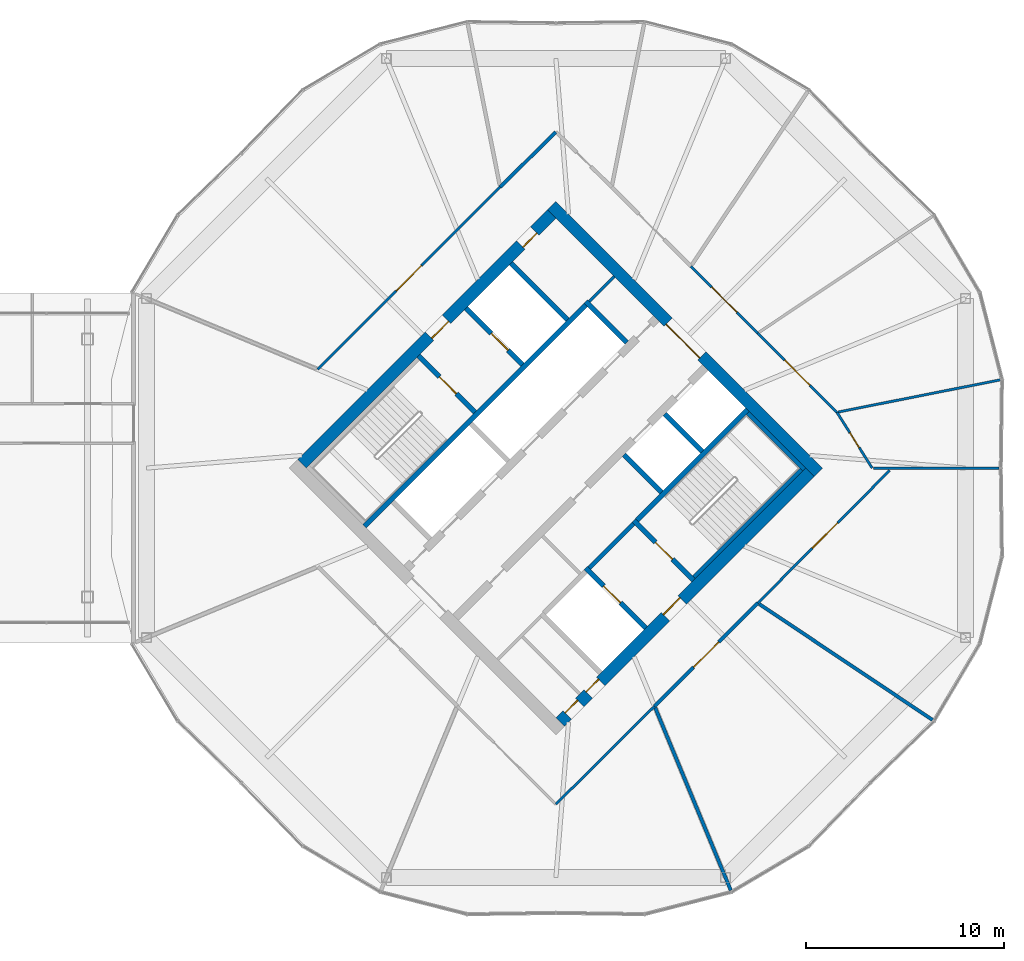
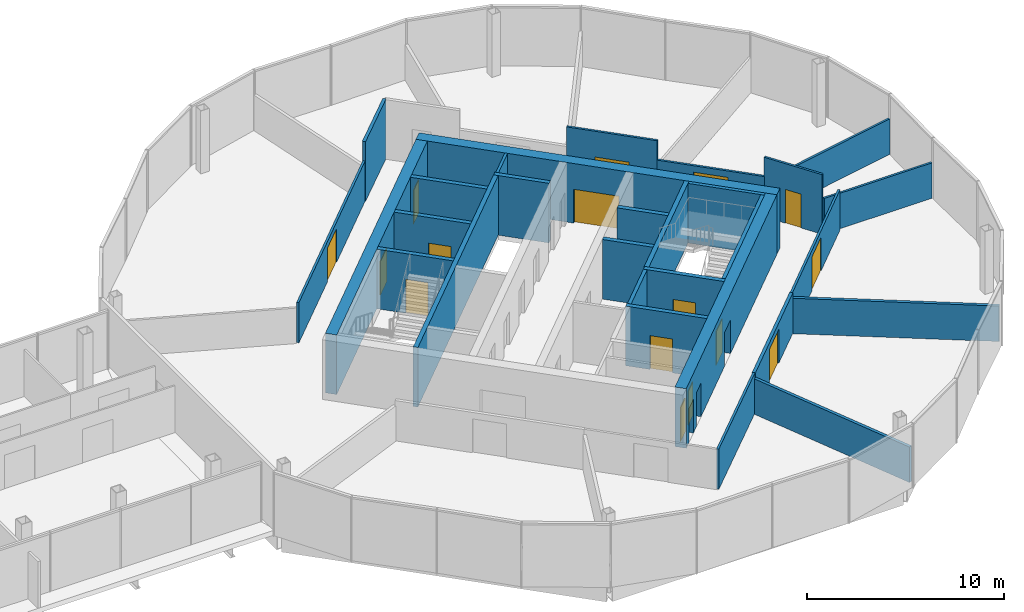
# One storey, part 23 of 26: 29 walls, 16 doors, 16 openings.
"""IFC4 building model written with IfcOpenShell, lengths in metres."""

from ifc_helpers import new_model, si_unit, direction, frame, frame_2d, origin, place, context, subcontext, project, spatial, rectangle, extrude, material, layer, layer_set, type_object, element, fill, save


model = new_model("IFC4")

# Units and contexts
model_context = context("Model", 3, precision=1e-05, world=origin(), true_north=direction((0.0, 1.0)))
body_context = subcontext(model_context, "Body", "Model", "MODEL_VIEW")
ifc_project = project(units=[si_unit("LENGTHUNIT", "METRE"), si_unit("AREAUNIT", "SQUARE_METRE"), si_unit("VOLUMEUNIT", "CUBIC_METRE"), si_unit("PLANEANGLEUNIT", "RADIAN"), si_unit("MASSUNIT", "GRAM", prefix="KILO")], contexts=[model_context])

# Site, building, storey
site_placement = place(None, origin())
site = spatial("IfcSite", under=ifc_project, at=site_placement, CompositionType="ELEMENT")
building_placement = place(site_placement, origin())
building = spatial("IfcBuilding", under=site, at=building_placement, Name="Ogive Gate Towers", CompositionType="ELEMENT")
storey_placement = place(building_placement, frame((0.0, 0.0, 156.800048828125)))
storey = spatial("IfcBuildingStorey", under=building, at=storey_placement, Name="L37", CompositionType="ELEMENT", Elevation=156.800048828125)

# Walls
ifc_material_1 = material(Name="Gypsum board acoustic partition")
ifc_layer_1 = layer(ifc_material_1, 0.175048828125)
ifc_layer_set_1 = layer_set([ifc_layer_1], Name="Acoustic partition 175")
wall_type_1 = type_object("IfcWallType", Name="Acoustic partition 175", PredefinedType="PARTITIONING", material=ifc_layer_set_1)
wall_1_placement = place(storey_placement, frame((44.81689453125, -21.2861328125, 0.0), z_axis=(0.0, 0.0, 1.0), x_axis=(-0.38267936462, 0.923881217416, 0.0)))
element("IfcWall", 1, at=wall_1_placement, inside=storey, type_object=wall_type_1, Name="Partition T2-L37-010", PredefinedType="PARTITIONING", context=body_context, shape_type="SweptSolid", body=[
    extrude(rectangle(XDim=9.96142578125, YDim=0.175048828125, at=frame_2d((4.980712890625, 0.0))), origin(), (0.0, 0.0, 1.0), 2.199951171875),
])
wall_2_placement = place(storey_placement, frame((54.986083984375, -12.695556640625, 0.0), z_axis=(0.0, 0.0, 1.0), x_axis=(-0.831274097515, 0.555862730178, 0.0)))
element("IfcWall", 2, at=wall_2_placement, inside=storey, type_object=wall_type_1, Name="Partition T2-L37-011", PredefinedType="PARTITIONING", context=body_context, shape_type="SweptSolid", body=[
    extrude(rectangle(XDim=10.51171875, YDim=0.175048828125, at=frame_2d((5.255859375, 0.0))), origin(), (0.0, 0.0, 1.0), 2.199951171875),
])

# Wall, opening, door
wall_3_placement = place(storey_placement, frame((40.971435546875, -12.002197265625, 0.0), z_axis=(0.0, 0.0, 1.0), x_axis=(0.707488386649, 0.706724969671, 0.0)))
wall_3 = element("IfcWall", 3, at=wall_3_placement, inside=storey, type_object=wall_type_1, Name="Partition T2-L37-015", PredefinedType="PARTITIONING", context=body_context, shape_type="SweptSolid", body=[
    extrude(rectangle(XDim=7.35546875, YDim=0.175048828125, at=frame_2d((3.677734375, 0.0))), origin(), (0.0, 0.0, 1.0), 2.5),
])
opening_1_placement = place(wall_3_placement, frame((2.778076171875, 0.0, 0.0)))
opening_1 = element("IfcOpeningElement", 4, at=opening_1_placement, cuts=wall_3, Name="Opening T2-L37-D03", PredefinedType="OPENING", context=body_context, shape_type="SweptSolid", body=[
    extrude(rectangle(XDim=1.800048828125, YDim=2.10009765625, at=frame_2d((0.89990234375, 1.050048828125))), frame((0.0, 0.09765625, 0.0), z_axis=(0.0, -1.0, 0.0), x_axis=(1.0, 0.0, 0.0)), (0.0, 0.0, 1.0), 0.195068359375),
])
ifc_material_2 = material(Name="Timber door", Category="wood")
door_type_1 = type_object("IfcDoorType", Name="Door pair 1800", OperationType="NOTDEFINED", PredefinedType="DOOR", material=ifc_material_2)
door_1_placement = place(opening_1_placement, origin())
door_1 = element("IfcDoor", 5, at=door_1_placement, inside=storey, type_object=door_type_1, Name="Door T2-L37-D03", OperationType="DOUBLE_DOOR_DOUBLE_SWING", OverallHeight=2.10009765625, OverallWidth=1.800048828125, PredefinedType="DOOR", context=body_context, shape_type="SweptSolid", body=[
    extrude(rectangle(XDim=1.800048828125, YDim=2.10009765625, at=frame_2d((0.89990234375, 1.050048828125))), frame((0.0, 0.02490234375, 0.0), z_axis=(0.0, -1.0, 0.0), x_axis=(1.0, 0.0, 0.0)), (0.0, 0.0, 1.0), 0.050048828125),
])
fill(opening_1, door_1)

# Walls
wall_4_placement = place(storey_placement, frame((36.0, 16.9423828125, 0.0), z_axis=(0.0, 0.0, 1.0), x_axis=(-0.71141641015, -0.70277072461, 0.0)))
element("IfcWall", 6, at=wall_4_placement, inside=storey, type_object=wall_type_1, Name="Partition T2-L37-022", PredefinedType="PARTITIONING", context=body_context, shape_type="SweptSolid", body=[
    extrude(rectangle(XDim=3.953369140625, YDim=0.175048828125, at=frame_2d((1.9765625, 0.0))), origin(), (0.0, 0.0, 1.0), 3.699951171875),
])
ifc_material_3 = material(Name="Masonry blockwork", Category="masonry")
ifc_layer_2 = layer(ifc_material_3, 0.199951171875)
ifc_layer_set_2 = layer_set([ifc_layer_2], Name="Blockwork wall 200 mm")
wall_type_2 = type_object("IfcWallType", Name="Blockwork wall 200 mm", PredefinedType="PARTITIONING", material=ifc_layer_set_2)
wall_5_placement = place(storey_placement, frame((37.679443359375, -5.0380859375, 0.0), z_axis=(0.0, 0.0, 1.0), x_axis=(0.707106781187, 0.707106781187, 0.0)))
element("IfcWall", 7, at=wall_5_placement, inside=storey, type_object=wall_type_2, Name="T2 L37 Blockwork wall 200 mm", PredefinedType="PARTITIONING", context=body_context, shape_type="SweptSolid", body=[
    extrude(rectangle(XDim=3.14990234375, YDim=0.199951171875, at=frame_2d((1.574951171875, 0.0))), origin(), (0.0, 0.0, 1.0), 3.699951171875),
])

# Wall, openings, doors
ifc_material_4 = material(Name="Concrete C60/75", Category="concrete")
ifc_layer_3 = layer(ifc_material_4, 0.60009765625)
ifc_layer_set_3 = layer_set([ifc_layer_3], Name="Core wall 600 mm")
wall_type_3 = type_object("IfcWallType", Name="Core wall 600 mm", PredefinedType="SHEAR", material=ifc_layer_set_3)
wall_6_placement = place(storey_placement, frame((36.212158203125, -12.798583984375, 0.0), z_axis=(0.0, 0.0, 1.0), x_axis=(0.707106781187, 0.707106781187, 0.0)))
wall_6 = element("IfcWall", 8, at=wall_6_placement, inside=storey, type_object=wall_type_3, Name="T2 L37 Core wall 600 mm", PredefinedType="SHEAR", context=body_context, shape_type="SweptSolid", body=[
    extrude(rectangle(XDim=17.7998046875, YDim=0.60009765625, at=frame_2d((8.89990234375, 0.0))), origin(), (0.0, 0.0, 1.0), 3.699951171875),
])
opening_2_placement = place(wall_6_placement, frame((7.5, 0.0, 0.0)))
opening_2 = element("IfcOpeningElement", 9, at=opening_2_placement, cuts=wall_6, Name="Opening KD-T2-L37-19", PredefinedType="OPENING", context=body_context, shape_type="SweptSolid", body=[
    extrude(rectangle(XDim=1.199951171875, YDim=2.10009765625, at=frame_2d((0.60009765625, 1.050048828125))), frame((0.0, 0.31005859375, 0.0), z_axis=(0.0, -1.0, 0.0), x_axis=(1.0, 0.0, 0.0)), (0.0, 0.0, 1.0), 0.6201171875),
])
opening_3_placement = place(wall_6_placement, frame((0.5, 0.0, 0.0)))
opening_3 = element("IfcOpeningElement", 10, at=opening_3_placement, cuts=wall_6, Name="Opening KD-T2-L37-21", PredefinedType="OPENING", context=body_context, shape_type="SweptSolid", body=[
    extrude(rectangle(XDim=0.89990234375, YDim=2.10009765625, at=frame_2d((0.449951171875, 1.050048828125))), frame((0.0, 0.31005859375, 0.0), z_axis=(0.0, -1.0, 0.0), x_axis=(1.0, 0.0, 0.0)), (0.0, 0.0, 1.0), 0.6201171875),
])
opening_4_placement = place(wall_6_placement, frame((2.0, 0.0, 0.0)))
opening_4 = element("IfcOpeningElement", 11, at=opening_4_placement, cuts=wall_6, Name="Opening KD-T2-L37-22", PredefinedType="OPENING", context=body_context, shape_type="SweptSolid", body=[
    extrude(rectangle(XDim=0.89990234375, YDim=2.10009765625, at=frame_2d((0.449951171875, 1.050048828125))), frame((0.0, 0.31005859375, 0.0), z_axis=(0.0, -1.0, 0.0), x_axis=(1.0, 0.0, 0.0)), (0.0, 0.0, 1.0), 0.6201171875),
])
door_type_2 = type_object("IfcDoorType", Name="Core WC door 900 x 2100", OperationType="NOTDEFINED", PredefinedType="DOOR", material=ifc_material_2)
door_2_placement = place(opening_3_placement, origin())
door_2 = element("IfcDoor", 12, at=door_2_placement, inside=storey, type_object=door_type_2, Name="T2 L37 Core door", OperationType="SINGLE_SWING_RIGHT", OverallHeight=2.10009765625, OverallWidth=0.89990234375, PredefinedType="DOOR", context=body_context, shape_type="SweptSolid", body=[
    extrude(rectangle(XDim=0.89990234375, YDim=2.10009765625, at=frame_2d((0.449951171875, 1.050048828125))), frame((0.0, 0.1748046875, 0.0), z_axis=(0.0, -1.0, 0.0), x_axis=(1.0, 0.0, 0.0)), (0.0, 0.0, 1.0), 0.050048828125),
])
fill(opening_3, door_2)
door_3_placement = place(opening_4_placement, origin())
door_3 = element("IfcDoor", 13, at=door_3_placement, inside=storey, type_object=door_type_2, Name="T2 L37 Core door", OperationType="SINGLE_SWING_LEFT", OverallHeight=2.10009765625, OverallWidth=0.89990234375, PredefinedType="DOOR", context=body_context, shape_type="SweptSolid", body=[
    extrude(rectangle(XDim=0.89990234375, YDim=2.10009765625, at=frame_2d((0.449951171875, 1.050048828125))), frame((0.0, 0.1748046875, 0.0), z_axis=(0.0, -1.0, 0.0), x_axis=(1.0, 0.0, 0.0)), (0.0, 0.0, 1.0), 0.050048828125),
])
fill(opening_4, door_3)
ifc_material_5 = material(Name="Steel fire door", Category="steel")
door_type_3 = type_object("IfcDoorType", Name="Core door FD60S 1200 x 2100", OperationType="NOTDEFINED", PredefinedType="DOOR", material=ifc_material_5)
door_4_placement = place(opening_2_placement, origin())
door_4 = element("IfcDoor", 14, at=door_4_placement, inside=storey, type_object=door_type_3, Name="T2 L37 Fire-fighting lobby door", OperationType="SINGLE_SWING_RIGHT", OverallHeight=2.10009765625, OverallWidth=1.199951171875, PredefinedType="DOOR", context=body_context, shape_type="SweptSolid", body=[
    extrude(rectangle(XDim=1.199951171875, YDim=2.10009765625, at=frame_2d((0.60009765625, 1.050048828125))), frame((0.0, 0.1748046875, 0.0), z_axis=(0.0, -1.0, 0.0), x_axis=(1.0, 0.0, 0.0)), (0.0, 0.0, 1.0), 0.050048828125),
])
fill(opening_2, door_4)

wall_7_placement = place(storey_placement, frame((23.201416015625, 0.212158203125, 0.0), z_axis=(0.0, 0.0, 1.0), x_axis=(0.707106781187, 0.707106781187, 0.0)))
wall_7 = element("IfcWall", 15, at=wall_7_placement, inside=storey, type_object=wall_type_3, Name="T2 L37 Core wall 600 mm", PredefinedType="SHEAR", context=body_context, shape_type="SweptSolid", body=[
    extrude(rectangle(XDim=17.7998046875, YDim=0.60009765625, at=frame_2d((8.89990234375, 0.0))), origin(), (0.0, 0.0, 1.0), 3.699951171875),
])
opening_5_placement = place(wall_7_placement, frame((9.10009765625, 0.0, 0.0)))
opening_5 = element("IfcOpeningElement", 16, at=opening_5_placement, cuts=wall_7, Name="Opening KD-T2-L37-18", PredefinedType="OPENING", context=body_context, shape_type="SweptSolid", body=[
    extrude(rectangle(XDim=1.199951171875, YDim=2.10009765625, at=frame_2d((0.60009765625, 1.050048828125))), frame((0.0, 0.31005859375, 0.0), z_axis=(0.0, -1.0, 0.0), x_axis=(1.0, 0.0, 0.0)), (0.0, 0.0, 1.0), 0.6201171875),
])
opening_6_placement = place(wall_7_placement, frame((15.60009765625, 0.0, 0.0)))
opening_6 = element("IfcOpeningElement", 17, at=opening_6_placement, cuts=wall_7, Name="Opening KD-T2-L37-20", PredefinedType="OPENING", context=body_context, shape_type="SweptSolid", body=[
    extrude(rectangle(XDim=1.0, YDim=2.10009765625, at=frame_2d((0.5, 1.050048828125))), frame((0.0, 0.31005859375, 0.0), z_axis=(0.0, -1.0, 0.0), x_axis=(1.0, 0.0, 0.0)), (0.0, 0.0, 1.0), 0.6201171875),
])
door_type_4 = type_object("IfcDoorType", Name="Accessible WC door 1000 x 2100", OperationType="NOTDEFINED", PredefinedType="DOOR", material=ifc_material_2)
door_5_placement = place(opening_6_placement, origin())
door_5 = element("IfcDoor", 18, at=door_5_placement, inside=storey, type_object=door_type_4, Name="T2 L37 Core door", OperationType="SINGLE_SWING_LEFT", OverallHeight=2.10009765625, OverallWidth=1.0, PredefinedType="DOOR", context=body_context, shape_type="SweptSolid", body=[
    extrude(rectangle(XDim=1.0, YDim=2.10009765625, at=frame_2d((0.5, 1.050048828125))), frame((0.0, -0.125, 0.0), z_axis=(0.0, -1.0, 0.0), x_axis=(1.0, 0.0, 0.0)), (0.0, 0.0, 1.0), 0.050048828125),
])
fill(opening_6, door_5)
door_6_placement = place(opening_5_placement, origin())
door_6 = element("IfcDoor", 19, at=door_6_placement, inside=storey, type_object=door_type_3, Name="T2 L37 Fire-fighting lobby door", OperationType="SINGLE_SWING_LEFT", OverallHeight=2.10009765625, OverallWidth=1.199951171875, PredefinedType="DOOR", context=body_context, shape_type="SweptSolid", body=[
    extrude(rectangle(XDim=1.199951171875, YDim=2.10009765625, at=frame_2d((0.60009765625, 1.050048828125))), frame((0.0, -0.125, 0.0), z_axis=(0.0, -1.0, 0.0), x_axis=(1.0, 0.0, 0.0)), (0.0, 0.0, 1.0), 0.050048828125),
])
fill(opening_5, door_6)

# Wall, opening, door
wall_8_placement = place(storey_placement, frame((49.222900390625, -0.212158203125, 0.0), z_axis=(0.0, 0.0, 1.0), x_axis=(-0.707106781187, 0.707106781187, 0.0)))
wall_8 = element("IfcWall", 20, at=wall_8_placement, inside=storey, type_object=wall_type_3, Name="T2 L37 Core wall 600 mm", PredefinedType="SHEAR", context=body_context, shape_type="SweptSolid", body=[
    extrude(rectangle(XDim=19.0, YDim=0.60009765625, at=frame_2d((9.5, 0.0))), origin(), (0.0, 0.0, 1.0), 3.699951171875),
])
opening_7_placement = place(wall_8_placement, frame((8.300048828125, 0.0, 0.0)))
opening_7 = element("IfcOpeningElement", 21, at=opening_7_placement, cuts=wall_8, Name="Opening KD-T2-L37-02", PredefinedType="OPENING", context=body_context, shape_type="SweptSolid", body=[
    extrude(rectangle(XDim=2.39990234375, YDim=2.10009765625, at=frame_2d((1.199951171875, 1.050048828125))), frame((0.0, 0.31005859375, 0.0), z_axis=(0.0, -1.0, 0.0), x_axis=(1.0, 0.0, 0.0)), (0.0, 0.0, 1.0), 0.6201171875),
])
door_type_5 = type_object("IfcDoorType", Name="Core double door FD60S 2400 x 2100", OperationType="DOUBLE_DOOR_SINGLE_SWING", PredefinedType="DOOR", material=ifc_material_5)
door_7_placement = place(opening_7_placement, origin())
door_7 = element("IfcDoor", 22, at=door_7_placement, inside=storey, type_object=door_type_5, Name="T2 L37 Core door double", OperationType="DOUBLE_DOOR_SINGLE_SWING", OverallHeight=2.10009765625, OverallWidth=2.39990234375, PredefinedType="DOOR", context=body_context, shape_type="SweptSolid", body=[
    extrude(rectangle(XDim=2.39990234375, YDim=2.10009765625, at=frame_2d((1.199951171875, 1.050048828125))), frame((0.0, 0.1748046875, 0.0), z_axis=(0.0, -1.0, 0.0), x_axis=(1.0, 0.0, 0.0)), (0.0, 0.0, 1.0), 0.050048828125),
])
fill(opening_7, door_7)

# Walls
ifc_material_6 = material(Name="Gypsum board partition")
ifc_layer_4 = layer(ifc_material_6, 0.125)
ifc_layer_set_4 = layer_set([ifc_layer_4], Name="Partition 125")
wall_type_4 = type_object("IfcWallType", Name="Partition 125", PredefinedType="PARTITIONING", material=ifc_layer_set_4)
wall_9_placement = place(storey_placement, frame((58.339111328125, 0.0, 0.0), z_axis=(0.0, 0.0, 1.0), x_axis=(-1.0, 0.0, 0.0)))
element("IfcWall", 23, at=wall_9_placement, inside=storey, type_object=wall_type_4, Name="Partition T2-L37-001", PredefinedType="PARTITIONING", context=body_context, shape_type="SweptSolid", body=[
    extrude(rectangle(XDim=6.336669921875, YDim=0.125, at=frame_2d((3.16845703125, 0.0))), origin(), (0.0, 0.0, 1.0), 2.199951171875),
])
wall_10_placement = place(storey_placement, frame((58.402099609375, 4.447998046875, 0.0), z_axis=(0.0, 0.0, 1.0), x_axis=(-0.980857909124, -0.194724836909, 0.0)))
element("IfcWall", 24, at=wall_10_placement, inside=storey, type_object=wall_type_4, Name="Partition T2-L37-002", PredefinedType="PARTITIONING", context=body_context, shape_type="SweptSolid", body=[
    extrude(rectangle(XDim=8.33642578125, YDim=0.125, at=frame_2d((4.168212890625, 0.0))), origin(), (0.0, 0.0, 1.0), 2.199951171875),
])
wall_11_placement = place(storey_placement, frame((36.0, -16.9423828125, 0.0), z_axis=(0.0, 0.0, 1.0), x_axis=(0.709332667605, 0.704873865786, 0.0)))
element("IfcWall", 25, at=wall_11_placement, inside=storey, type_object=wall_type_4, Name="Partition T2-L37-014", PredefinedType="PARTITIONING", context=body_context, shape_type="SweptSolid", body=[
    extrude(rectangle(XDim=7.008544921875, YDim=0.125, at=frame_2d((3.50439453125, 0.0))), origin(), (0.0, 0.0, 1.0), 2.5),
])

# Wall, opening, door
wall_12_placement = place(storey_placement, frame((46.17529296875, -6.803955078125, 0.0), z_axis=(0.0, 0.0, 1.0), x_axis=(0.705176522901, 0.709031784584, 0.0)))
wall_12 = element("IfcWall", 26, at=wall_12_placement, inside=storey, type_object=wall_type_4, Name="Partition T2-L37-016", PredefinedType="PARTITIONING", context=body_context, shape_type="SweptSolid", body=[
    extrude(rectangle(XDim=9.435546875, YDim=0.125, at=frame_2d((4.7177734375, 0.0))), origin(), (0.0, 0.0, 1.0), 2.5),
])
opening_8_placement = place(wall_12_placement, frame((3.89794921875, 0.0, 0.0)))
opening_8 = element("IfcOpeningElement", 27, at=opening_8_placement, cuts=wall_12, Name="Opening T2-L37-D04", PredefinedType="OPENING", context=body_context, shape_type="SweptSolid", body=[
    extrude(rectangle(XDim=1.800048828125, YDim=2.10009765625, at=frame_2d((0.89990234375, 1.050048828125))), frame((0.0, 0.072509765625, 0.0), z_axis=(0.0, -1.0, 0.0), x_axis=(1.0, 0.0, 0.0)), (0.0, 0.0, 1.0), 0.14501953125),
])
door_8_placement = place(opening_8_placement, origin())
door_8 = element("IfcDoor", 28, at=door_8_placement, inside=storey, type_object=door_type_1, Name="Door T2-L37-D04", OperationType="DOUBLE_DOOR_DOUBLE_SWING", OverallHeight=2.10009765625, OverallWidth=1.800048828125, PredefinedType="DOOR", context=body_context, shape_type="SweptSolid", body=[
    extrude(rectangle(XDim=1.800048828125, YDim=2.10009765625, at=frame_2d((0.89990234375, 1.050048828125))), frame((0.0, 0.02490234375, 0.0), z_axis=(0.0, -1.0, 0.0), x_axis=(1.0, 0.0, 0.0)), (0.0, 0.0, 1.0), 0.050048828125),
])
fill(opening_8, door_8)

wall_13_placement = place(storey_placement, frame((51.93994140625, 0.0, 0.0), z_axis=(0.0, 0.0, 1.0), x_axis=(-0.533899096433, 0.845548197815, 0.0)))
wall_13 = element("IfcWall", 29, at=wall_13_placement, inside=storey, type_object=wall_type_4, Name="Partition T2-L37-017", PredefinedType="PARTITIONING", context=body_context, shape_type="SweptSolid", body=[
    extrude(rectangle(XDim=3.326171875, YDim=0.125, at=frame_2d((1.6630859375, 0.0))), origin(), (0.0, 0.0, 1.0), 3.699951171875),
])
opening_9_placement = place(wall_13_placement, frame((1.212890625, 0.0, 0.0)))
opening_9 = element("IfcOpeningElement", 30, at=opening_9_placement, cuts=wall_13, Name="Opening T2-L37-D05", PredefinedType="OPENING", context=body_context, shape_type="SweptSolid", body=[
    extrude(rectangle(XDim=0.89990234375, YDim=2.10009765625, at=frame_2d((0.449951171875, 1.050048828125))), frame((0.0, 0.072509765625, 0.0), z_axis=(0.0, -1.0, 0.0), x_axis=(1.0, 0.0, 0.0)), (0.0, 0.0, 1.0), 0.14501953125),
])
door_type_6 = type_object("IfcDoorType", Name="Door 900", OperationType="NOTDEFINED", PredefinedType="DOOR", material=ifc_material_2)
door_9_placement = place(opening_9_placement, origin())
door_9 = element("IfcDoor", 31, at=door_9_placement, inside=storey, type_object=door_type_6, Name="Door T2-L37-D05", OperationType="SINGLE_SWING_RIGHT", OverallHeight=2.10009765625, OverallWidth=0.89990234375, PredefinedType="DOOR", context=body_context, shape_type="SweptSolid", body=[
    extrude(rectangle(XDim=0.89990234375, YDim=2.10009765625, at=frame_2d((0.449951171875, 1.050048828125))), frame((0.0, 0.02490234375, 0.0), z_axis=(0.0, -1.0, 0.0), x_axis=(1.0, 0.0, 0.0)), (0.0, 0.0, 1.0), 0.050048828125),
])
fill(opening_9, door_9)

wall_14_placement = place(storey_placement, frame((50.1640625, 2.8125, 0.0), z_axis=(0.0, 0.0, 1.0), x_axis=(-0.706868781892, 0.707344700401, 0.0)))
wall_14 = element("IfcWall", 32, at=wall_14_placement, inside=storey, type_object=wall_type_4, Name="Partition T2-L37-018", PredefinedType="PARTITIONING", context=body_context, shape_type="SweptSolid", body=[
    extrude(rectangle(XDim=5.642822265625, YDim=0.125, at=frame_2d((2.8212890625, 0.0))), origin(), (0.0, 0.0, 1.0), 2.5),
])
opening_10_placement = place(wall_14_placement, frame((1.9208984375, 0.0, 0.0)))
opening_10 = element("IfcOpeningElement", 33, at=opening_10_placement, cuts=wall_14, Name="Opening T2-L37-D06", PredefinedType="OPENING", context=body_context, shape_type="SweptSolid", body=[
    extrude(rectangle(XDim=1.800048828125, YDim=2.10009765625, at=frame_2d((0.89990234375, 1.050048828125))), frame((0.0, 0.072509765625, 0.0), z_axis=(0.0, -1.0, 0.0), x_axis=(1.0, 0.0, 0.0)), (0.0, 0.0, 1.0), 0.14501953125),
])
door_10_placement = place(opening_10_placement, origin())
door_10 = element("IfcDoor", 34, at=door_10_placement, inside=storey, type_object=door_type_1, Name="Door T2-L37-D06", OperationType="DOUBLE_DOOR_DOUBLE_SWING", OverallHeight=2.10009765625, OverallWidth=1.800048828125, PredefinedType="DOOR", context=body_context, shape_type="SweptSolid", body=[
    extrude(rectangle(XDim=1.800048828125, YDim=2.10009765625, at=frame_2d((0.89990234375, 1.050048828125))), frame((0.0, 0.02490234375, 0.0), z_axis=(0.0, -1.0, 0.0), x_axis=(1.0, 0.0, 0.0)), (0.0, 0.0, 1.0), 0.050048828125),
])
fill(opening_10, door_10)

wall_15_placement = place(storey_placement, frame((46.17529296875, 6.803955078125, 0.0), z_axis=(0.0, 0.0, 1.0), x_axis=(-0.707106781187, 0.707106781187, 0.0)))
wall_15 = element("IfcWall", 35, at=wall_15_placement, inside=storey, type_object=wall_type_4, Name="Partition T2-L37-019", PredefinedType="PARTITIONING", context=body_context, shape_type="SweptSolid", body=[
    extrude(rectangle(XDim=4.767822265625, YDim=0.125, at=frame_2d((2.3837890625, 0.0))), origin(), (0.0, 0.0, 1.0), 3.699951171875),
])
opening_11_placement = place(wall_15_placement, frame((1.48388671875, 0.0, 0.0)))
opening_11 = element("IfcOpeningElement", 36, at=opening_11_placement, cuts=wall_15, Name="Opening T2-L37-D07", PredefinedType="OPENING", context=body_context, shape_type="SweptSolid", body=[
    extrude(rectangle(XDim=1.800048828125, YDim=2.10009765625, at=frame_2d((0.89990234375, 1.050048828125))), frame((0.0, 0.072509765625, 0.0), z_axis=(0.0, -1.0, 0.0), x_axis=(1.0, 0.0, 0.0)), (0.0, 0.0, 1.0), 0.14501953125),
])
door_11_placement = place(opening_11_placement, origin())
door_11 = element("IfcDoor", 37, at=door_11_placement, inside=storey, type_object=door_type_1, Name="Door T2-L37-D07", OperationType="DOUBLE_DOOR_DOUBLE_SWING", OverallHeight=2.10009765625, OverallWidth=1.800048828125, PredefinedType="DOOR", context=body_context, shape_type="SweptSolid", body=[
    extrude(rectangle(XDim=1.800048828125, YDim=2.10009765625, at=frame_2d((0.89990234375, 1.050048828125))), frame((0.0, 0.02490234375, 0.0), z_axis=(0.0, -1.0, 0.0), x_axis=(1.0, 0.0, 0.0)), (0.0, 0.0, 1.0), 0.050048828125),
])
fill(opening_11, door_11)

wall_16_placement = place(storey_placement, frame((33.1875, 14.1640625, 0.0), z_axis=(0.0, 0.0, 1.0), x_axis=(-0.706994076888, -0.707219467524, 0.0)))
wall_16 = element("IfcWall", 38, at=wall_16_placement, inside=storey, type_object=wall_type_4, Name="Partition T2-L37-023", PredefinedType="PARTITIONING", context=body_context, shape_type="SweptSolid", body=[
    extrude(rectangle(XDim=12.998291015625, YDim=0.125, at=frame_2d((6.4990234375, 0.0))), origin(), (0.0, 0.0, 1.0), 2.5),
])
opening_12_placement = place(wall_16_placement, frame((5.59912109375, 0.0, 0.0)))
opening_12 = element("IfcOpeningElement", 39, at=opening_12_placement, cuts=wall_16, Name="Opening T2-L37-D10", PredefinedType="OPENING", context=body_context, shape_type="SweptSolid", body=[
    extrude(rectangle(XDim=1.800048828125, YDim=2.10009765625, at=frame_2d((0.89990234375, 1.050048828125))), frame((0.0, 0.072509765625, 0.0), z_axis=(0.0, -1.0, 0.0), x_axis=(1.0, 0.0, 0.0)), (0.0, 0.0, 1.0), 0.14501953125),
])
door_12_placement = place(opening_12_placement, origin())
door_12 = element("IfcDoor", 40, at=door_12_placement, inside=storey, type_object=door_type_1, Name="Door T2-L37-D10", OperationType="DOUBLE_DOOR_DOUBLE_SWING", OverallHeight=2.10009765625, OverallWidth=1.800048828125, PredefinedType="DOOR", context=body_context, shape_type="SweptSolid", body=[
    extrude(rectangle(XDim=1.800048828125, YDim=2.10009765625, at=frame_2d((0.89990234375, 1.050048828125))), frame((0.0, 0.02490234375, 0.0), z_axis=(0.0, -1.0, 0.0), x_axis=(1.0, 0.0, 0.0)), (0.0, 0.0, 1.0), 0.050048828125),
])
fill(opening_12, door_12)

# Walls
ifc_layer_5 = layer(ifc_material_6, 0.14990234375)
ifc_layer_set_5 = layer_set([ifc_layer_5], Name="Room partition 150 mm")
wall_type_5 = type_object("IfcWallType", Name="Room partition 150 mm", PredefinedType="PARTITIONING", material=ifc_layer_set_5)
wall_17_placement = place(storey_placement, frame((37.679443359375, 8.39697265625, 0.0), z_axis=(0.0, 0.0, 1.0), x_axis=(0.707106781187, 0.707106781187, 0.0)))
element("IfcWall", 41, at=wall_17_placement, inside=storey, type_object=wall_type_5, Name="T2 L37 Room partition 150 mm", PredefinedType="PARTITIONING", context=body_context, shape_type="SweptSolid", body=[
    extrude(rectangle(XDim=1.77490234375, YDim=0.14990234375, at=frame_2d((0.887451171875, 0.0))), origin(), (0.0, 0.0, 1.0), 3.699951171875),
])
ifc_layer_6 = layer(ifc_material_4, 0.25)
ifc_layer_set_6 = layer_set([ifc_layer_6], Name="Shaft wall 250 mm")
wall_type_6 = type_object("IfcWallType", Name="Shaft wall 250 mm", PredefinedType="SHEAR", material=ifc_layer_set_6)
wall_18_placement = place(storey_placement, frame((40.08349609375, -2.634033203125, 0.0), z_axis=(0.0, 0.0, 1.0), x_axis=(0.707106781187, 0.707106781187, 0.0)))
element("IfcWall", 42, at=wall_18_placement, inside=storey, type_object=wall_type_6, Name="T2 L37 Shaft wall 250 mm", PredefinedType="SHEAR", context=body_context, shape_type="SweptSolid", body=[
    extrude(rectangle(XDim=7.875244140625, YDim=0.25, at=frame_2d((3.9375, 0.0))), origin(), (0.0, 0.0, 1.0), 3.699951171875),
])
wall_19_placement = place(storey_placement, frame((26.347900390625, -2.9345703125, 0.0), z_axis=(0.0, 0.0, 1.0), x_axis=(0.707106781187, 0.707106781187, 0.0)))
element("IfcWall", 43, at=wall_19_placement, inside=storey, type_object=wall_type_6, Name="T2 L37 Shaft wall 250 mm", PredefinedType="SHEAR", context=body_context, shape_type="SweptSolid", body=[
    extrude(rectangle(XDim=15.775146484375, YDim=0.25, at=frame_2d((7.8876953125, 0.0))), origin(), (0.0, 0.0, 1.0), 3.699951171875),
])

# Wall, opening, door
wall_20_placement = place(storey_placement, frame((40.525390625, -8.06103515625, 0.0), z_axis=(0.0, 0.0, 1.0), x_axis=(-0.707078225638, 0.707135335582, 0.0)))
wall_20 = element("IfcWall", 44, at=wall_20_placement, inside=storey, type_object=wall_type_6, Name="T2 L37 Shaft wall 250 mm", PredefinedType="SHEAR", context=body_context, shape_type="SweptSolid", body=[
    extrude(rectangle(XDim=4.27490234375, YDim=0.25, at=frame_2d((2.137451171875, 0.0))), origin(), (0.0, 0.0, 1.0), 3.699951171875),
])
opening_13_placement = place(wall_20_placement, frame((1.800048828125, 0.0, 0.0)))
opening_13 = element("IfcOpeningElement", 45, at=opening_13_placement, cuts=wall_20, Name="Opening LD-T2-L37-13", PredefinedType="OPENING", context=body_context, shape_type="SweptSolid", body=[
    extrude(rectangle(XDim=1.199951171875, YDim=2.10009765625, at=frame_2d((0.60009765625, 1.050048828125))), frame((0.0, 0.135009765625, 0.0), z_axis=(0.0, -1.0, 0.0), x_axis=(1.0, 0.0, 0.0)), (0.0, 0.0, 1.0), 0.27001953125),
])
ifc_material_7 = material(Name="Stainless steel landing door", Category="steel")
door_type_7 = type_object("IfcDoorType", Name="Landing door 1200 x 2100", OperationType="SLIDING_TO_LEFT", PredefinedType="DOOR", material=ifc_material_7)
door_13_placement = place(opening_13_placement, origin())
door_13 = element("IfcDoor", 46, at=door_13_placement, inside=storey, type_object=door_type_7, Name="T2 L37 Lift landing door FF2", OperationType="SLIDING_TO_LEFT", OverallHeight=2.10009765625, OverallWidth=1.199951171875, PredefinedType="DOOR", context=body_context, shape_type="SweptSolid", body=[
    extrude(rectangle(XDim=1.199951171875, YDim=2.10009765625, at=frame_2d((0.60009765625, 1.050048828125))), frame((0.0, 0.02490234375, 0.0), z_axis=(0.0, -1.0, 0.0), x_axis=(1.0, 0.0, 0.0)), (0.0, 0.0, 1.0), 0.050048828125),
])
fill(opening_13, door_13)

wall_21_placement = place(storey_placement, frame((31.91650390625, 2.810791015625, 0.0), z_axis=(0.0, 0.0, 1.0), x_axis=(-0.707106781187, 0.707106781187, 0.0)))
wall_21 = element("IfcWall", 47, at=wall_21_placement, inside=storey, type_object=wall_type_6, Name="T2 L37 Shaft wall 250 mm", PredefinedType="SHEAR", context=body_context, shape_type="SweptSolid", body=[
    extrude(rectangle(XDim=4.025146484375, YDim=0.25, at=frame_2d((2.0126953125, 0.0))), origin(), (0.0, 0.0, 1.0), 3.699951171875),
])
opening_14_placement = place(wall_21_placement, frame((1.324951171875, 0.0, 0.0)))
opening_14 = element("IfcOpeningElement", 48, at=opening_14_placement, cuts=wall_21, Name="Opening KD-T2-L37-16", PredefinedType="OPENING", context=body_context, shape_type="SweptSolid", body=[
    extrude(rectangle(XDim=1.199951171875, YDim=2.10009765625, at=frame_2d((0.60009765625, 1.050048828125))), frame((0.0, 0.135009765625, 0.0), z_axis=(0.0, -1.0, 0.0), x_axis=(1.0, 0.0, 0.0)), (0.0, 0.0, 1.0), 0.27001953125),
])
door_14_placement = place(opening_14_placement, origin())
door_14 = element("IfcDoor", 49, at=door_14_placement, inside=storey, type_object=door_type_3, Name="T2 L37 Stair door", OperationType="SINGLE_SWING_LEFT", OverallHeight=2.10009765625, OverallWidth=1.199951171875, PredefinedType="DOOR", context=body_context, shape_type="SweptSolid", body=[
    extrude(rectangle(XDim=1.199951171875, YDim=2.10009765625, at=frame_2d((0.60009765625, 1.050048828125))), frame((0.0, 0.02490234375, 0.0), z_axis=(0.0, -1.0, 0.0), x_axis=(1.0, 0.0, 0.0)), (0.0, 0.0, 1.0), 0.050048828125),
])
fill(opening_14, door_14)

wall_22_placement = place(storey_placement, frame((42.9296875, -5.656982421875, 0.0), z_axis=(0.0, 0.0, 1.0), x_axis=(-0.707106781187, 0.707106781187, 0.0)))
wall_22 = element("IfcWall", 50, at=wall_22_placement, inside=storey, type_object=wall_type_6, Name="T2 L37 Shaft wall 250 mm", PredefinedType="SHEAR", context=body_context, shape_type="SweptSolid", body=[
    extrude(rectangle(XDim=4.250244140625, YDim=0.25, at=frame_2d((2.125, 0.0))), origin(), (0.0, 0.0, 1.0), 3.699951171875),
])
opening_15_placement = place(wall_22_placement, frame((1.5, 0.0, 0.0)))
opening_15 = element("IfcOpeningElement", 51, at=opening_15_placement, cuts=wall_22, Name="Opening KD-T2-L37-17", PredefinedType="OPENING", context=body_context, shape_type="SweptSolid", body=[
    extrude(rectangle(XDim=1.199951171875, YDim=2.10009765625, at=frame_2d((0.60009765625, 1.050048828125))), frame((0.0, 0.135009765625, 0.0), z_axis=(0.0, -1.0, 0.0), x_axis=(1.0, 0.0, 0.0)), (0.0, 0.0, 1.0), 0.27001953125),
])
door_15_placement = place(opening_15_placement, origin())
door_15 = element("IfcDoor", 52, at=door_15_placement, inside=storey, type_object=door_type_3, Name="T2 L37 Stair door", OperationType="SINGLE_SWING_RIGHT", OverallHeight=2.10009765625, OverallWidth=1.199951171875, PredefinedType="DOOR", context=body_context, shape_type="SweptSolid", body=[
    extrude(rectangle(XDim=1.199951171875, YDim=2.10009765625, at=frame_2d((0.60009765625, 1.050048828125))), frame((0.0, 0.02490234375, 0.0), z_axis=(0.0, -1.0, 0.0), x_axis=(1.0, 0.0, 0.0)), (0.0, 0.0, 1.0), 0.050048828125),
])
fill(opening_15, door_15)

wall_23_placement = place(storey_placement, frame((34.320556640625, 5.21484375, 0.0), z_axis=(0.0, 0.0, 1.0), x_axis=(-0.70707645213, 0.707137108942, 0.0)))
wall_23 = element("IfcWall", 53, at=wall_23_placement, inside=storey, type_object=wall_type_6, Name="T2 L37 Shaft wall 250 mm", PredefinedType="SHEAR", context=body_context, shape_type="SweptSolid", body=[
    extrude(rectangle(XDim=4.02490234375, YDim=0.25, at=frame_2d((2.012451171875, 0.0))), origin(), (0.0, 0.0, 1.0), 3.699951171875),
])
opening_16_placement = place(wall_23_placement, frame((1.02490234375, 0.0, 0.0)))
opening_16 = element("IfcOpeningElement", 54, at=opening_16_placement, cuts=wall_23, Name="Opening LD-T2-L37-12", PredefinedType="OPENING", context=body_context, shape_type="SweptSolid", body=[
    extrude(rectangle(XDim=1.199951171875, YDim=2.10009765625, at=frame_2d((0.60009765625, 1.050048828125))), frame((0.0, 0.135009765625, 0.0), z_axis=(0.0, -1.0, 0.0), x_axis=(1.0, 0.0, 0.0)), (0.0, 0.0, 1.0), 0.27001953125),
])
door_16_placement = place(opening_16_placement, origin())
door_16 = element("IfcDoor", 55, at=door_16_placement, inside=storey, type_object=door_type_7, Name="T2 L37 Lift landing door FF1", OperationType="SLIDING_TO_LEFT", OverallHeight=2.10009765625, OverallWidth=1.199951171875, PredefinedType="DOOR", context=body_context, shape_type="SweptSolid", body=[
    extrude(rectangle(XDim=1.199951171875, YDim=2.10009765625, at=frame_2d((0.60009765625, 1.050048828125))), frame((0.0, 0.02490234375, 0.0), z_axis=(0.0, -1.0, 0.0), x_axis=(1.0, 0.0, 0.0)), (0.0, 0.0, 1.0), 0.050048828125),
])
fill(opening_16, door_16)

# Walls
wall_24_placement = place(storey_placement, frame((41.321044921875, -1.2197265625, 0.0), z_axis=(0.0, 0.0, 1.0), x_axis=(-0.707106781187, 0.707106781187, 0.0)))
element("IfcWall", 56, at=wall_24_placement, inside=storey, type_object=wall_type_6, Name="T2 L37 Shaft wall 250 mm", PredefinedType="SHEAR", context=body_context, shape_type="SweptSolid", body=[
    extrude(rectangle(XDim=2.675048828125, YDim=0.25, at=frame_2d((1.33740234375, 0.0))), origin(), (0.0, 0.0, 1.0), 3.699951171875),
])
wall_25_placement = place(storey_placement, frame((36.58349609375, 7.477783203125, 0.0), z_axis=(0.0, 0.0, 1.0), x_axis=(-0.707137108942, 0.70707645213, 0.0)))
element("IfcWall", 57, at=wall_25_placement, inside=storey, type_object=wall_type_6, Name="T2 L37 Shaft wall 250 mm", PredefinedType="SHEAR", context=body_context, shape_type="SweptSolid", body=[
    extrude(rectangle(XDim=4.02490234375, YDim=0.25, at=frame_2d((2.012451171875, 0.0))), origin(), (0.0, 0.0, 1.0), 3.699951171875),
])
wall_26_placement = place(storey_placement, frame((43.37158203125, 0.830810546875, 0.0), z_axis=(0.0, 0.0, 1.0), x_axis=(-0.707106781187, 0.707106781187, 0.0)))
element("IfcWall", 58, at=wall_26_placement, inside=storey, type_object=wall_type_6, Name="T2 L37 Shaft wall 250 mm", PredefinedType="SHEAR", context=body_context, shape_type="SweptSolid", body=[
    extrude(rectangle(XDim=2.675048828125, YDim=0.25, at=frame_2d((1.33740234375, 0.0))), origin(), (0.0, 0.0, 1.0), 3.699951171875),
])
wall_27_placement = place(storey_placement, frame((39.57080078125, 6.32861328125, 0.0), z_axis=(0.0, 0.0, 1.0), x_axis=(-0.707065045505, 0.707148514405, 0.0)))
element("IfcWall", 59, at=wall_27_placement, inside=storey, type_object=wall_type_6, Name="T2 L37 Shaft wall 250 mm", PredefinedType="SHEAR", context=body_context, shape_type="SweptSolid", body=[
    extrude(rectangle(XDim=2.925048828125, YDim=0.25, at=frame_2d((1.46240234375, 0.0))), origin(), (0.0, 0.0, 1.0), 3.699951171875),
])
ifc_layer_7 = layer(ifc_material_4, 0.199951171875)
ifc_layer_set_7 = layer_set([ifc_layer_7], Name="Stair wall 200 mm")
wall_type_7 = type_object("IfcWallType", Name="Stair wall 200 mm", PredefinedType="SHEAR", material=ifc_layer_set_7)
wall_28_placement = place(storey_placement, frame((42.947265625, -5.497802734375, 0.0), z_axis=(0.0, 0.0, 1.0), x_axis=(0.707122685701, 0.707090876314, 0.0)))
element("IfcWall", 60, at=wall_28_placement, inside=storey, type_object=wall_type_7, Name="T2 L37 Stair wall 200 mm", PredefinedType="SHEAR", context=body_context, shape_type="SweptSolid", body=[
    extrude(rectangle(XDim=7.675048828125, YDim=0.199951171875, at=frame_2d((3.83740234375, 0.0))), origin(), (0.0, 0.0, 1.0), 3.699951171875),
])
wall_29_placement = place(storey_placement, frame((48.515869140625, -0.07080078125, 0.0), z_axis=(0.0, 0.0, 1.0), x_axis=(-0.707106781187, 0.707106781187, 0.0)))
element("IfcWall", 61, at=wall_29_placement, inside=storey, type_object=wall_type_7, Name="T2 L37 Stair wall 200 mm", PredefinedType="SHEAR", context=body_context, shape_type="SweptSolid", body=[
    extrude(rectangle(XDim=4.025146484375, YDim=0.199951171875, at=frame_2d((2.0126953125, 0.0))), origin(), (0.0, 0.0, 1.0), 3.699951171875),
])

save(model, "model.ifc")
